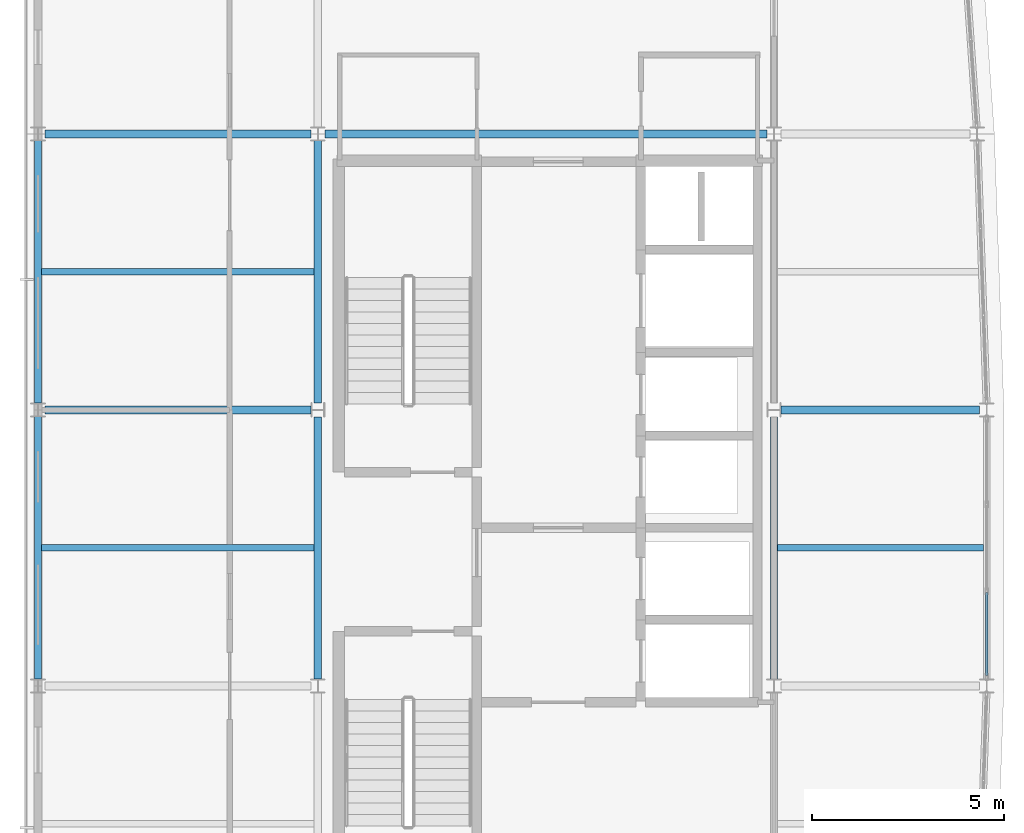
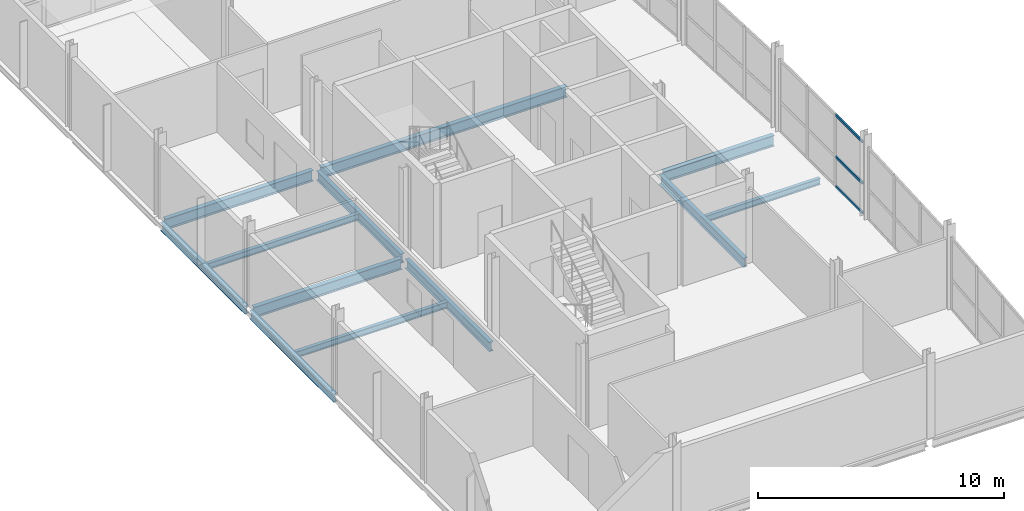
# One storey, part 3 of 17: 12 beams, 3 members, 1 element without a shape of its own.
"""IFC4 building model written with IfcOpenShell, lengths in metres."""

from ifc_helpers import new_model, si_unit, direction, frame, origin, origin_2d, place, context, subcontext, project, spatial, hollow_rectangle, i_section, extrude, material, layer, layer_set, material_profile, profile_set, type_object, element, aggregate, save


model = new_model("IFC4")

# Units and contexts
model_context = context("Model", 3, precision=1e-05, world=origin(), true_north=direction((0.0, 1.0)))
body_context = subcontext(model_context, "Body", "Model", "MODEL_VIEW")
ifc_project = project(units=[si_unit("LENGTHUNIT", "METRE"), si_unit("AREAUNIT", "SQUARE_METRE"), si_unit("VOLUMEUNIT", "CUBIC_METRE"), si_unit("PLANEANGLEUNIT", "RADIAN"), si_unit("MASSUNIT", "GRAM", prefix="KILO")], contexts=[model_context])

# Site, building, storey
site_placement = place(None, origin())
site = spatial("IfcSite", under=ifc_project, at=site_placement, CompositionType="ELEMENT")
building_placement = place(site_placement, origin())
building = spatial("IfcBuilding", under=site, at=building_placement, Name="Quillay Park Conservatory", CompositionType="ELEMENT")
storey_placement = place(building_placement, frame((0.0, 0.0, 51.89990234375)))
storey = spatial("IfcBuildingStorey", under=building, at=storey_placement, Name="L12", CompositionType="ELEMENT", Elevation=51.89990234375)

# Beams
ifc_material_1 = material(Name="Steel ASTM A992 Grade 50", Category="steel")
ifc_material_profile_1 = material_profile(ifc_material_1, i_section(OverallWidth=0.166015625, OverallDepth=0.31298828125, WebThickness=0.006591796875, FlangeThickness=0.01123046875, FilletRadius=0.010009765625, at=origin_2d()), Name="W310x45")
ifc_profile_set_1 = profile_set([ifc_material_profile_1], Name="Steel ASTM A992 Grade 50")
beam_type_1 = type_object("IfcBeamType", Name="COMPOSITE FLOOR JOIST W310 X45", PredefinedType="JOIST", material=ifc_profile_set_1)
beam_1_placement = place(storey_placement, frame((0.639892578125, 88.800048828125, -0.3564453125), z_axis=(1.0, 0.0, 0.0), x_axis=(0.0, 1.0, 0.0)))
element("IfcBeam", 1, at=beam_1_placement, inside=storey, type_object=beam_type_1, Name="L12 beam BM-J-0862", PredefinedType="JOIST", context=body_context, shape_type="SweptSolid", body=[
    extrude(i_section(OverallWidth=0.166015625, OverallDepth=0.31298828125, WebThickness=0.006591796875, FlangeThickness=0.01123046875, FilletRadius=0.010009765625, at=origin_2d()), origin(), (0.0, 0.0, 1.0), 7.114013671875),
])
beam_2_placement = place(storey_placement, frame((19.845947265625, 88.800048828125, -0.3564453125), z_axis=(1.0, 0.0, 0.0), x_axis=(0.0, 1.0, 0.0)))
element("IfcBeam", 2, at=beam_2_placement, inside=storey, type_object=beam_type_1, Name="L12 beam BM-J-0863", PredefinedType="JOIST", context=body_context, shape_type="SweptSolid", body=[
    extrude(i_section(OverallWidth=0.166015625, OverallDepth=0.31298828125, WebThickness=0.006591796875, FlangeThickness=0.01123046875, FilletRadius=0.010009765625, at=origin_2d()), origin(), (0.0, 0.0, 1.0), 5.364013671875),
])
beam_3_placement = place(storey_placement, frame((0.639892578125, 96.0, -0.3564453125), z_axis=(1.0, 0.0, 0.0), x_axis=(0.0, 1.0, 0.0)))
element("IfcBeam", 3, at=beam_3_placement, inside=storey, type_object=beam_type_1, Name="L12 beam BM-J-0868", PredefinedType="JOIST", context=body_context, shape_type="SweptSolid", body=[
    extrude(i_section(OverallWidth=0.166015625, OverallDepth=0.31298828125, WebThickness=0.006591796875, FlangeThickness=0.01123046875, FilletRadius=0.010009765625, at=origin_2d()), origin(), (0.0, 0.0, 1.0), 7.114013671875),
])

# Curtain wall, members
ifc_material_2 = material(Name="Thermally Broken Anodised Aluminium 6063-T6", Category="aluminium")
ifc_layer = layer(ifc_material_2, 0.179931640625)
ifc_layer_set = layer_set([ifc_layer], Name="UNITISED CURTAIN WALL TOWER (Thermally Broken Anodised Aluminium 6063-T6)")
curtain_wall_type = type_object("IfcCurtainWallType", Name="UNITISED CURTAIN WALL TOWER", PredefinedType="USERDEFINED", material=ifc_layer_set)
curtain_wall_placement = place(storey_placement, origin())
curtain_wall = element("IfcCurtainWall", 4, at=curtain_wall_placement, inside=storey, type_object=curtain_wall_type, Name="L12 Unitised Curtain Wall 115", ObjectType="UNITISED CURTAIN WALL", PredefinedType="USERDEFINED")
ifc_material_3 = material(Name="Thermally Broken Anodised Aluminium 6063-T6", Category="aluminium")
ifc_material_profile_2 = material_profile(ifc_material_3, hollow_rectangle(XDim=0.070068359375, YDim=0.1298828125, WallThickness=0.003173828125, at=origin_2d()), Name="AL70x130x3.2")
ifc_profile_set_2 = profile_set([ifc_material_profile_2], Name="Thermally Broken Anodised Aluminium 6063-T6")
member_type = type_object("IfcMemberType", Name="CURTAIN WALL TRANSOM 70 X130", PredefinedType="USERDEFINED", material=ifc_profile_set_2)
member_1_placement = place(storey_placement, frame((25.300048828125, 87.631591796875, 0.03515625), z_axis=(0.0, -1.0, 0.0), x_axis=(1.0, 0.0, 0.0)))
member_1 = element("IfcMember", 5, at=member_1_placement, type_object=member_type, Name="CW-T1 transom 3.1", ObjectType="TRANSOM", PredefinedType="USERDEFINED", context=body_context, shape_type="SweptSolid", body=[
    extrude(hollow_rectangle(XDim=0.070068359375, YDim=0.1298828125, WallThickness=0.003173828125, at=origin_2d()), origin(), (0.0, 0.0, 1.0), 2.16162109375),
])
member_2_placement = place(storey_placement, frame((25.300048828125, 87.631591796875, 1.51171875), z_axis=(0.0, -1.0, 0.0), x_axis=(1.0, 0.0, 0.0)))
member_2 = element("IfcMember", 6, at=member_2_placement, type_object=member_type, Name="CW-T1 transom 3.2", ObjectType="TRANSOM", PredefinedType="USERDEFINED", context=body_context, shape_type="SweptSolid", body=[
    extrude(hollow_rectangle(XDim=0.070068359375, YDim=0.1298828125, WallThickness=0.003173828125, at=origin_2d()), origin(), (0.0, 0.0, 1.0), 2.16162109375),
])
member_3_placement = place(storey_placement, frame((25.300048828125, 87.631591796875, 3.564208984375), z_axis=(0.0, -1.0, 0.0), x_axis=(1.0, 0.0, 0.0)))
member_3 = element("IfcMember", 7, at=member_3_placement, type_object=member_type, Name="CW-T1 transom 3.3", ObjectType="TRANSOM", PredefinedType="USERDEFINED", context=body_context, shape_type="SweptSolid", body=[
    extrude(hollow_rectangle(XDim=0.070068359375, YDim=0.1298828125, WallThickness=0.003173828125, at=origin_2d()), origin(), (0.0, 0.0, 1.0), 2.16162109375),
])
aggregate(curtain_wall, [member_1, member_2, member_3])

# Beams
ifc_material_4 = material(Name="Steel ASTM A992 Grade 50", Category="steel")
ifc_material_profile_3 = material_profile(ifc_material_4, i_section(OverallWidth=0.179931640625, OverallDepth=0.4130859375, WebThickness=0.009765625, FlangeThickness=0.01611328125, FilletRadius=0.011962890625, at=origin_2d()), Name="W410x74")
ifc_profile_set_3 = profile_set([ifc_material_profile_3], Name="Steel ASTM A992 Grade 50")
beam_type_2 = type_object("IfcBeamType", Name="PERIMETER SPANDREL BEAM W410 X74", PredefinedType="SPANDREL", material=ifc_profile_set_3)
beam_4_placement = place(storey_placement, frame((0.550048828125, 85.3779296875, -0.406494140625), z_axis=(0.0, 1.0, 0.0), x_axis=(-1.0, 0.0, 0.0)))
element("IfcBeam", 8, at=beam_4_placement, inside=storey, type_object=beam_type_2, Name="L12 beam BM-SPW-0858", PredefinedType="SPANDREL", context=body_context, shape_type="SweptSolid", body=[
    extrude(i_section(OverallWidth=0.179931640625, OverallDepth=0.4130859375, WebThickness=0.009765625, FlangeThickness=0.01611328125, FilletRadius=0.011962890625, at=origin_2d()), origin(), (0.0, 0.0, 1.0), 6.843994140625),
])
beam_5_placement = place(storey_placement, frame((0.550048828125, 92.577880859375, -0.406494140625), z_axis=(0.0, 1.0, 0.0), x_axis=(-1.0, 0.0, 0.0)))
element("IfcBeam", 9, at=beam_5_placement, inside=storey, type_object=beam_type_2, Name="L12 beam BM-SPW-0864", PredefinedType="SPANDREL", context=body_context, shape_type="SweptSolid", body=[
    extrude(i_section(OverallWidth=0.179931640625, OverallDepth=0.4130859375, WebThickness=0.009765625, FlangeThickness=0.01611328125, FilletRadius=0.011962890625, at=origin_2d()), origin(), (0.0, 0.0, 1.0), 6.84423828125),
])
ifc_material_5 = material(Name="Steel ASTM A992 Grade 50", Category="steel")
ifc_material_profile_4 = material_profile(ifc_material_5, i_section(OverallWidth=0.19189453125, OverallDepth=0.462890625, WebThickness=0.010498046875, FlangeThickness=0.017578125, FilletRadius=0.012939453125, at=origin_2d()), Name="W460x89")
ifc_profile_set_4 = profile_set([ifc_material_profile_4], Name="Steel ASTM A992 Grade 50")
beam_type_3 = type_object("IfcBeamType", Name="PRIMARY FLOOR GIRDER W460 X89", PredefinedType="BEAM", material=ifc_profile_set_4)
for number, where, z_axis, x_axis, name in (
    (10, (7.85009765625, 85.3779296875, -0.431396484375), (0.0, 1.0, 0.0), (-1.0, 0.0, 0.0), "L12 beam BM-GNS-0860"),
    (11, (19.75, 85.3779296875, -0.431396484375), (0.0, 1.0, 0.0), (-1.0, 0.0, 0.0), "L12 beam BM-GNS-0861"),
    (12, (7.85009765625, 92.58447265625, -0.431396484375), (0.0, 1.0, 0.0), (-1.0, 0.0, 0.0), "L12 beam BM-GNS-0866"),
):
    element("IfcBeam", number, at=place(storey_placement, frame(where, z_axis=z_axis, x_axis=x_axis)), inside=storey, type_object=beam_type_3, Name=name, PredefinedType="BEAM", context=body_context, shape_type="SweptSolid", body=[
        extrude(i_section(OverallWidth=0.19189453125, OverallDepth=0.462890625, WebThickness=0.010498046875, FlangeThickness=0.017578125, FilletRadius=0.012939453125, at=origin_2d()), origin(), (0.0, 0.0, 1.0), 6.837646484375),
    ])
ifc_material_6 = material(Name="Steel ASTM A992 Grade 50", Category="steel")
ifc_material_profile_5 = material_profile(ifc_material_6, i_section(OverallWidth=0.2109375, OverallDepth=0.5390625, WebThickness=0.01171875, FlangeThickness=0.018798828125, FilletRadius=0.013916015625, at=origin_2d()), Name="W530x109")
ifc_profile_set_5 = profile_set([ifc_material_profile_5], Name="Steel ASTM A992 Grade 50")
beam_type_4 = type_object("IfcBeamType", Name="PRIMARY FLOOR GIRDER W530 X109", PredefinedType="BEAM", material=ifc_profile_set_5)
beam_6_placement = place(storey_placement, frame((0.734619140625, 92.39990234375, -0.469482421875), z_axis=(1.0, 0.0, 0.0), x_axis=(0.0, 1.0, 0.0)))
element("IfcBeam", 13, at=beam_6_placement, inside=storey, type_object=beam_type_4, Name="L12 beam BM-G-0834", PredefinedType="BEAM", context=body_context, shape_type="SweptSolid", body=[
    extrude(i_section(OverallWidth=0.2109375, OverallDepth=0.5390625, WebThickness=0.01171875, FlangeThickness=0.018798828125, FilletRadius=0.013916015625, at=origin_2d()), origin(), (0.0, 0.0, 1.0), 6.9375),
])
beam_7_placement = place(storey_placement, frame((19.927978515625, 92.39990234375, -0.469482421875), z_axis=(1.0, 0.0, 0.0), x_axis=(0.0, 1.0, 0.0)))
element("IfcBeam", 14, at=beam_7_placement, inside=storey, type_object=beam_type_4, Name="L12 beam BM-G-0835", PredefinedType="BEAM", context=body_context, shape_type="SweptSolid", body=[
    extrude(i_section(OverallWidth=0.2109375, OverallDepth=0.5390625, WebThickness=0.01171875, FlangeThickness=0.018798828125, FilletRadius=0.013916015625, at=origin_2d()), origin(), (0.0, 0.0, 1.0), 5.1875),
])
beam_8_placement = place(storey_placement, frame((0.734619140625, 99.60009765625, -0.469482421875), z_axis=(1.0, 0.0, 0.0), x_axis=(0.0, 1.0, 0.0)))
element("IfcBeam", 15, at=beam_8_placement, inside=storey, type_object=beam_type_4, Name="L12 beam BM-G-0836", PredefinedType="BEAM", context=body_context, shape_type="SweptSolid", body=[
    extrude(i_section(OverallWidth=0.2109375, OverallDepth=0.5390625, WebThickness=0.01171875, FlangeThickness=0.018798828125, FilletRadius=0.013916015625, at=origin_2d()), origin(), (0.0, 0.0, 1.0), 6.930908203125),
])
beam_9_placement = place(storey_placement, frame((8.034423828125, 99.60009765625, -0.469482421875), z_axis=(1.0, 0.0, 0.0), x_axis=(0.0, 1.0, 0.0)))
element("IfcBeam", 16, at=beam_9_placement, inside=storey, type_object=beam_type_4, Name="L12 beam BM-G-0837", PredefinedType="BEAM", context=body_context, shape_type="SweptSolid", body=[
    extrude(i_section(OverallWidth=0.2109375, OverallDepth=0.5390625, WebThickness=0.01171875, FlangeThickness=0.018798828125, FilletRadius=0.013916015625, at=origin_2d()), origin(), (0.0, 0.0, 1.0), 11.531005859375),
])

save(model, "model.ifc")
